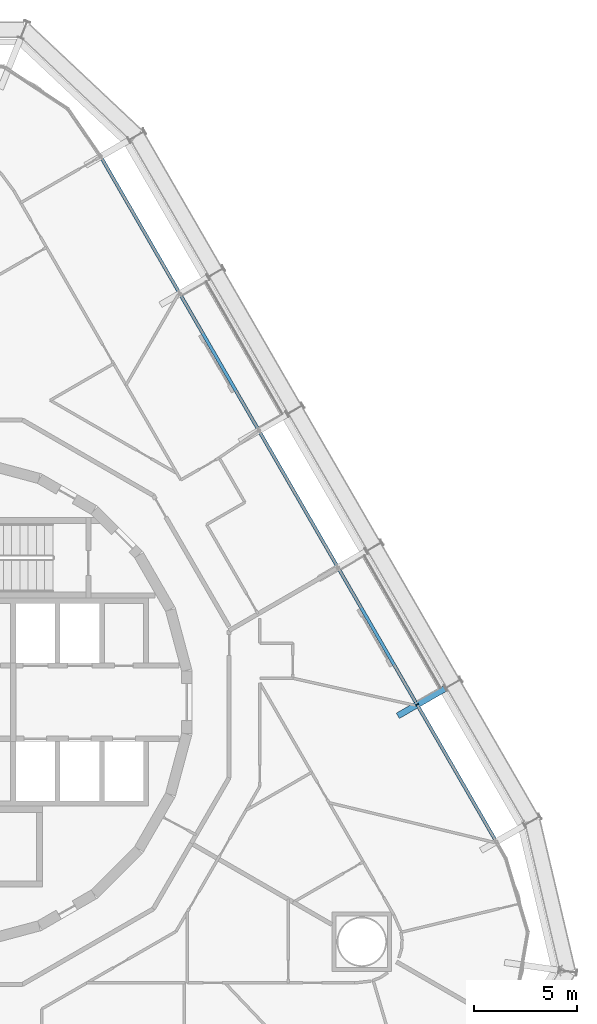
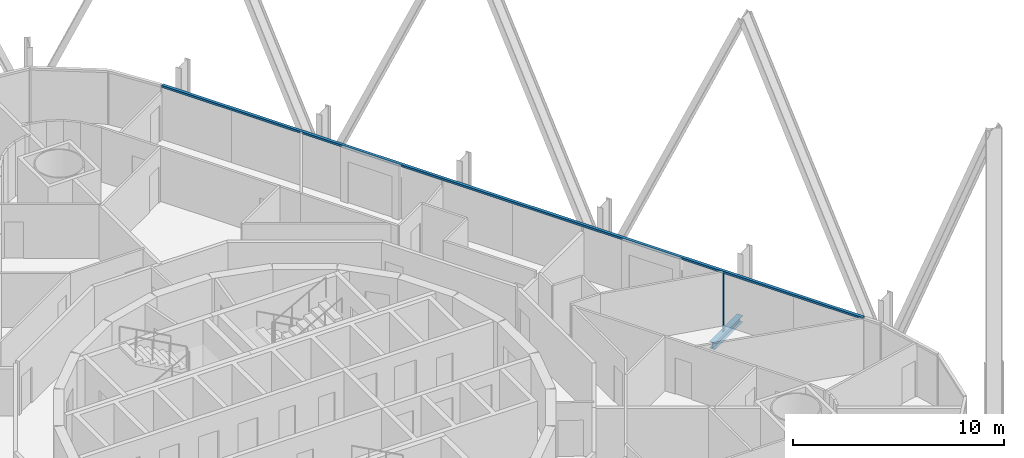
# One storey, part 8 of 22: 2 members, 1 beam, 1 element without a shape of its own.
"""IFC4 building model written with IfcOpenShell, lengths in metres."""

from ifc_helpers import new_model, si_unit, direction, frame, origin, origin_2d, place, context, subcontext, project, spatial, rectangle, i_section, extrude, material, layer, layer_set, material_profile, profile_set, type_object, element, aggregate, save


model = new_model("IFC4")

# Units and contexts
model_context = context("Model", 3, precision=1e-05, world=origin(), true_north=direction((0.0, 1.0)))
body_context = subcontext(model_context, "Body", "Model", "MODEL_VIEW")
ifc_project = project(units=[si_unit("LENGTHUNIT", "METRE"), si_unit("AREAUNIT", "SQUARE_METRE"), si_unit("VOLUMEUNIT", "CUBIC_METRE"), si_unit("PLANEANGLEUNIT", "RADIAN"), si_unit("MASSUNIT", "GRAM", prefix="KILO")], contexts=[model_context])

# Site, building, storey
site_placement = place(None, origin())
site = spatial("IfcSite", under=ifc_project, at=site_placement, CompositionType="ELEMENT")
building_placement = place(site_placement, origin())
building = spatial("IfcBuilding", under=site, at=building_placement, Name="Spindle Arch Residences", CompositionType="ELEMENT")
storey_placement = place(building_placement, frame((0.0, 0.0, 52.39990234375)))
storey = spatial("IfcBuildingStorey", under=building, at=storey_placement, Name="L11", CompositionType="ELEMENT", Elevation=52.39990234375)

# Curtain wall, members
ifc_material_1 = material(Name="Aluminium bronze unitised frame with tinted glass", Category="aluminium")
ifc_layer = layer(ifc_material_1, 0.159912109375)
ifc_layer_set = layer_set([ifc_layer], Name="CW-C typical residential unitised wall")
curtain_wall_type = type_object("IfcCurtainWallType", Name="CW-C typical residential unitised wall", PredefinedType="NOTDEFINED", material=ifc_layer_set)
curtain_wall_placement = place(storey_placement, origin())
curtain_wall = element("IfcCurtainWall", 1, at=curtain_wall_placement, inside=storey, type_object=curtain_wall_type, Name="CW-C L11 run 2", PredefinedType="NOTDEFINED")
ifc_material_2 = material(Name="Aluminium bronze anodised mullion", Category="aluminium")
ifc_material_profile_1 = material_profile(ifc_material_2, rectangle(XDim=0.159912109375, YDim=0.06005859375, at=origin_2d()), Name="MU 60x160")
ifc_profile_set_1 = profile_set([ifc_material_profile_1], Name="Aluminium bronze anodised mullion")
member_type_1 = type_object("IfcMemberType", Name="Bronze mullion 60x160", PredefinedType="MULLION", material=ifc_profile_set_1)
member_1_placement = place(storey_placement, frame((22.829345703125, -0.121826171875, -0.3798828125), z_axis=(0.0, 0.0, 1.0), x_axis=(-0.866025403784, -0.5, 0.0)))
member_1 = element("IfcMember", 2, at=member_1_placement, type_object=member_type_1, Name="CW-C mullion 06", PredefinedType="MULLION", context=body_context, shape_type="SweptSolid", body=[
    extrude(rectangle(XDim=0.159912109375, YDim=0.06005859375, at=origin_2d()), origin(), (0.0, 0.0, 1.0), 3.3798828125),
])
ifc_material_3 = material(Name="Aluminium bronze anodised transom", Category="aluminium")
ifc_material_profile_2 = material_profile(ifc_material_3, rectangle(XDim=0.159912109375, YDim=0.1201171875, at=origin_2d()), Name="TR 120x160")
ifc_profile_set_2 = profile_set([ifc_material_profile_2], Name="Aluminium bronze anodised transom")
member_type_2 = type_object("IfcMemberType", Name="Bronze transom 120x160", PredefinedType="USERDEFINED", material=ifc_profile_set_2)
member_2_placement = place(storey_placement, frame((26.654296875, -6.746826171875, 3.06005859375), z_axis=(-0.50000099666, 0.866024828362, 0.0), x_axis=(-0.866024828362, -0.50000099666, 0.0)))
member_2 = element("IfcMember", 3, at=member_2_placement, type_object=member_type_2, Name="CW-C transom 00", ObjectType="TRANSOM", PredefinedType="USERDEFINED", context=body_context, shape_type="SweptSolid", body=[
    extrude(rectangle(XDim=0.159912109375, YDim=0.1201171875, at=origin_2d()), origin(), (0.0, 0.0, 1.0), 38.34033203125),
])
aggregate(curtain_wall, [member_2, member_1])

# Beam
ifc_material_4 = material(Name="Steel S460ML, intumescent coating R 120", Category="steel")
ifc_material_profile_3 = material_profile(ifc_material_4, i_section(OverallWidth=0.300048828125, OverallDepth=0.389892578125, WebThickness=0.010986328125, FlangeThickness=0.01904296875, FilletRadius=0.027099609375, at=origin_2d()), Name="HEA 400")
ifc_profile_set_3 = profile_set([ifc_material_profile_3], Name="Steel S460ML, intumescent coating R 120")
beam_type = type_object("IfcBeamType", Name="Floor outrigger HEA 400", PredefinedType="BEAM", material=ifc_profile_set_3)
beam_placement = place(storey_placement, frame((24.18896484375, 0.6630859375, -0.574951171875), z_axis=(-0.866029095148, -0.499993606316, 0.0), x_axis=(0.499993606316, -0.866029095148, 0.0)))
element("IfcBeam", 4, at=beam_placement, inside=storey, type_object=beam_type, Name="Floor outrigger 7", PredefinedType="BEAM", context=body_context, shape_type="SweptSolid", body=[
    extrude(i_section(OverallWidth=0.300048828125, OverallDepth=0.389892578125, WebThickness=0.010986328125, FlangeThickness=0.01904296875, FilletRadius=0.027099609375, at=origin_2d()), origin(), (0.0, 0.0, 1.0), 2.64990234375),
])

save(model, "model.ifc")
